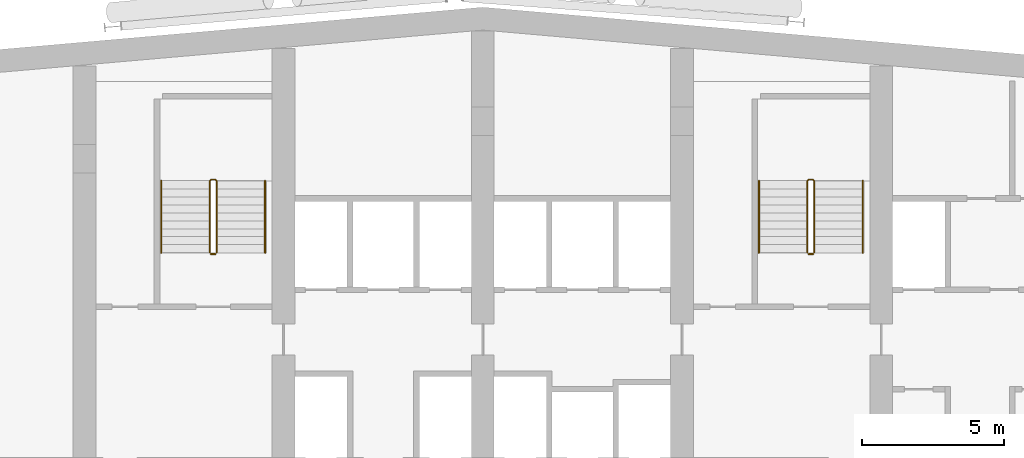
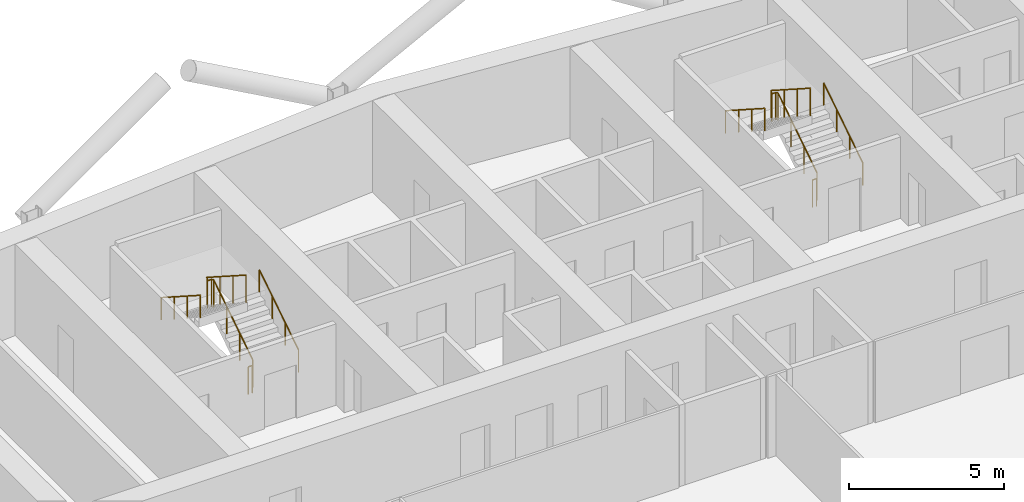
# One storey, part 26 of 26: 8 railings.
"""IFC4 building model written with IfcOpenShell, lengths in metres."""

from ifc_helpers import new_model, si_unit, direction, frame, origin, origin_2d, place, context, subcontext, project, spatial, circle, extrude, material, type_object, element, save


model = new_model("IFC4")

# Units and contexts
model_context = context("Model", 3, precision=1e-05, world=origin(), true_north=direction((0.0, 1.0)))
body_context = subcontext(model_context, "Body", "Model", "MODEL_VIEW")
ifc_project = project(units=[si_unit("LENGTHUNIT", "METRE"), si_unit("AREAUNIT", "SQUARE_METRE"), si_unit("VOLUMEUNIT", "CUBIC_METRE"), si_unit("PLANEANGLEUNIT", "RADIAN"), si_unit("MASSUNIT", "GRAM", prefix="KILO")], contexts=[model_context])

# Site, building, storey
site_placement = place(None, origin())
site = spatial("IfcSite", under=ifc_project, at=site_placement, CompositionType="ELEMENT")
building_placement = place(site_placement, origin())
building = spatial("IfcBuilding", under=site, at=building_placement, Name="Wharfspan Tower", CompositionType="ELEMENT")
storey_placement = place(building_placement, frame((0.0, 0.0, 184.300049)))
storey = spatial("IfcBuildingStorey", under=building, at=storey_placement, Name="L45", CompositionType="ELEMENT", Elevation=184.300049)

# Railings
ifc_material = material(Name="Steel S355J2", Category="steel")
railing_type_1 = type_object("IfcRailingType", Name="Stair guard 1100", PredefinedType="GUARDRAIL", material=ifc_material)
railing_1_placement = place(storey_placement, frame((27.649902, 42.0, 0.179932)))
element("IfcRailing", 1, at=railing_1_placement, inside=storey, type_object=railing_type_1, Name="L45 ST1 stair guard 1", PredefinedType="GUARDRAIL", context=body_context, shape_type="SweptSolid", body=[
    extrude(circle(Radius=0.023926, at=origin_2d()), frame((0.0, 0.0, 1.076172), z_axis=(0.0, 0.841163, 0.540782), x_axis=(-1.0, 0.0, 0.0)), (0.0, 0.0, 1.0), 2.99585),
    extrude(circle(Radius=0.023926, at=origin_2d()), frame((0.0, 2.52002, 2.696289), z_axis=(-0.705376, 0.708834, 0.0), x_axis=(-0.708834, -0.705376, 0.0)), (0.0, 0.0, 1.0), 0.070557),
    extrude(circle(Radius=0.023926, at=origin_2d()), frame((-0.049805, 2.570068, 2.696289), z_axis=(-1.0, 0.0, 0.0), x_axis=(0.0, -1.0, 0.0)), (0.0, 0.0, 1.0), 0.150146),
    extrude(circle(Radius=0.023926, at=origin_2d()), frame((-0.199951, 2.570068, 2.696289), z_axis=(-0.258848, -0.258848, 0.930589), x_axis=(0.707107, -0.707107, 0.0)), (0.0, 0.0, 1.0), 0.193359),
    extrude(circle(Radius=0.023926, at=origin_2d()), frame((-0.25, 2.52002, 2.875977), z_axis=(0.0, -0.8412, 0.540725), x_axis=(1.0, 0.0, 0.0)), (0.0, 0.0, 1.0), 2.99585),
    extrude(circle(Radius=0.020996, at=origin_2d()), origin(), (0.0, 0.0, 1.0), 1.052002),
    extrude(circle(Radius=0.020996, at=origin_2d()), frame((0.0, 0.840088, 0.540039)), (0.0, 0.0, 1.0), 1.052002),
    extrude(circle(Radius=0.020996, at=origin_2d()), frame((0.0, 1.679932, 1.080078)), (0.0, 0.0, 1.0), 1.052002),
    extrude(circle(Radius=0.020996, at=origin_2d()), frame((0.0, 2.52002, 1.620117)), (0.0, 0.0, 1.0), 1.052002),
    extrude(circle(Radius=0.020996, at=origin_2d()), frame((-0.049805, 2.570068, 1.620117)), (0.0, 0.0, 1.0), 1.052002),
    extrude(circle(Radius=0.020996, at=origin_2d()), frame((-0.199951, 2.570068, 1.620117)), (0.0, 0.0, 1.0), 1.052002),
    extrude(circle(Radius=0.020996, at=origin_2d()), frame((-0.25, 2.52002, 1.800049)), (0.0, 0.0, 1.0), 1.052002),
    extrude(circle(Radius=0.020996, at=origin_2d()), frame((-0.25, 1.679932, 2.340088)), (0.0, 0.0, 1.0), 1.052002),
    extrude(circle(Radius=0.020996, at=origin_2d()), frame((-0.25, 0.840088, 2.879883)), (0.0, 0.0, 1.0), 1.052002),
    extrude(circle(Radius=0.020996, at=origin_2d()), frame((-0.25, 0.0, 3.419922)), (0.0, 0.0, 1.0), 1.052002),
])
railing_2_placement = place(storey_placement, frame((27.600098, 41.949951, 0.0)))
element("IfcRailing", 2, at=railing_2_placement, inside=storey, type_object=railing_type_1, Name="L45 ST1 stair guard 2", PredefinedType="GUARDRAIL", context=body_context, shape_type="SweptSolid", body=[
    extrude(circle(Radius=0.023926, at=origin_2d()), frame((0.0, 0.0, 1.076172), z_axis=(-1.0, 0.0, 0.0), x_axis=(0.0, -1.0, 0.0)), (0.0, 0.0, 1.0), 0.150146),
    extrude(circle(Radius=0.020996, at=origin_2d()), origin(), (0.0, 0.0, 1.0), 1.052002),
    extrude(circle(Radius=0.020996, at=origin_2d()), frame((-0.150146, 0.0, 0.0)), (0.0, 0.0, 1.0), 1.052002),
])
railing_3_placement = place(storey_placement, frame((48.649902, 42.0, 0.179932)))
element("IfcRailing", 3, at=railing_3_placement, inside=storey, type_object=railing_type_1, Name="L45 ST2 stair guard 1", PredefinedType="GUARDRAIL", context=body_context, shape_type="SweptSolid", body=[
    extrude(circle(Radius=0.023926, at=origin_2d()), frame((0.0, 0.0, 1.076172), z_axis=(0.0, 0.841163, 0.540782), x_axis=(-1.0, 0.0, 0.0)), (0.0, 0.0, 1.0), 2.99585),
    extrude(circle(Radius=0.023926, at=origin_2d()), frame((0.0, 2.52002, 2.696289), z_axis=(-0.705376, 0.708834, 0.0), x_axis=(-0.708834, -0.705376, 0.0)), (0.0, 0.0, 1.0), 0.070557),
    extrude(circle(Radius=0.023926, at=origin_2d()), frame((-0.049805, 2.570068, 2.696289), z_axis=(-1.0, 0.0, 0.0), x_axis=(0.0, -1.0, 0.0)), (0.0, 0.0, 1.0), 0.150146),
    extrude(circle(Radius=0.023926, at=origin_2d()), frame((-0.199951, 2.570068, 2.696289), z_axis=(-0.258848, -0.258848, 0.930589), x_axis=(0.707107, -0.707107, 0.0)), (0.0, 0.0, 1.0), 0.193359),
    extrude(circle(Radius=0.023926, at=origin_2d()), frame((-0.25, 2.52002, 2.875977), z_axis=(0.0, -0.8412, 0.540725), x_axis=(1.0, 0.0, 0.0)), (0.0, 0.0, 1.0), 2.99585),
    extrude(circle(Radius=0.020996, at=origin_2d()), origin(), (0.0, 0.0, 1.0), 1.052002),
    extrude(circle(Radius=0.020996, at=origin_2d()), frame((0.0, 0.840088, 0.540039)), (0.0, 0.0, 1.0), 1.052002),
    extrude(circle(Radius=0.020996, at=origin_2d()), frame((0.0, 1.679932, 1.080078)), (0.0, 0.0, 1.0), 1.052002),
    extrude(circle(Radius=0.020996, at=origin_2d()), frame((0.0, 2.52002, 1.620117)), (0.0, 0.0, 1.0), 1.052002),
    extrude(circle(Radius=0.020996, at=origin_2d()), frame((-0.049805, 2.570068, 1.620117)), (0.0, 0.0, 1.0), 1.052002),
    extrude(circle(Radius=0.020996, at=origin_2d()), frame((-0.199951, 2.570068, 1.620117)), (0.0, 0.0, 1.0), 1.052002),
    extrude(circle(Radius=0.020996, at=origin_2d()), frame((-0.25, 2.52002, 1.800049)), (0.0, 0.0, 1.0), 1.052002),
    extrude(circle(Radius=0.020996, at=origin_2d()), frame((-0.25, 1.679932, 2.340088)), (0.0, 0.0, 1.0), 1.052002),
    extrude(circle(Radius=0.020996, at=origin_2d()), frame((-0.25, 0.840088, 2.879883)), (0.0, 0.0, 1.0), 1.052002),
    extrude(circle(Radius=0.020996, at=origin_2d()), frame((-0.25, 0.0, 3.419922)), (0.0, 0.0, 1.0), 1.052002),
])
railing_4_placement = place(storey_placement, frame((48.600098, 41.949951, 0.0)))
element("IfcRailing", 4, at=railing_4_placement, inside=storey, type_object=railing_type_1, Name="L45 ST2 stair guard 2", PredefinedType="GUARDRAIL", context=body_context, shape_type="SweptSolid", body=[
    extrude(circle(Radius=0.023926, at=origin_2d()), frame((0.0, 0.0, 1.076172), z_axis=(-1.0, 0.0, 0.0), x_axis=(0.0, -1.0, 0.0)), (0.0, 0.0, 1.0), 0.150146),
    extrude(circle(Radius=0.020996, at=origin_2d()), origin(), (0.0, 0.0, 1.0), 1.052002),
    extrude(circle(Radius=0.020996, at=origin_2d()), frame((-0.150146, 0.0, 0.0)), (0.0, 0.0, 1.0), 1.052002),
])
railing_type_2 = type_object("IfcRailingType", Name="Stair handrail 900", PredefinedType="HANDRAIL", material=ifc_material)
railing_5_placement = place(storey_placement, frame((29.350098, 42.0, 0.179932)))
element("IfcRailing", 5, at=railing_5_placement, inside=storey, type_object=railing_type_2, Name="L45 ST1 stair handrail 1", PredefinedType="HANDRAIL", context=body_context, shape_type="SweptSolid", body=[
    extrude(circle(Radius=0.023926, at=origin_2d()), frame((0.0, 0.0, 0.875977), z_axis=(0.0, 0.841163, 0.540782), x_axis=(-1.0, 0.0, 0.0)), (0.0, 0.0, 1.0), 2.99585),
    extrude(circle(Radius=0.020996, at=origin_2d()), origin(), (0.0, 0.0, 1.0), 0.851807),
    extrude(circle(Radius=0.020996, at=origin_2d()), frame((0.0, 0.840088, 0.540039)), (0.0, 0.0, 1.0), 0.851807),
    extrude(circle(Radius=0.020996, at=origin_2d()), frame((0.0, 1.679932, 1.080078)), (0.0, 0.0, 1.0), 0.851807),
    extrude(circle(Radius=0.020996, at=origin_2d()), frame((0.0, 2.52002, 1.620117)), (0.0, 0.0, 1.0), 0.851807),
])
railing_6_placement = place(storey_placement, frame((25.699951, 44.52002, 1.97998)))
element("IfcRailing", 6, at=railing_6_placement, inside=storey, type_object=railing_type_2, Name="L45 ST1 stair handrail 2", PredefinedType="HANDRAIL", context=body_context, shape_type="SweptSolid", body=[
    extrude(circle(Radius=0.023926, at=origin_2d()), frame((0.0, 0.0, 0.875977), z_axis=(0.0, -0.8412, 0.540725), x_axis=(1.0, 0.0, 0.0)), (0.0, 0.0, 1.0), 2.99585),
    extrude(circle(Radius=0.020996, at=origin_2d()), origin(), (0.0, 0.0, 1.0), 0.851807),
    extrude(circle(Radius=0.020996, at=origin_2d()), frame((0.0, -0.840088, 0.540039)), (0.0, 0.0, 1.0), 0.851807),
    extrude(circle(Radius=0.020996, at=origin_2d()), frame((0.0, -1.679932, 1.079834)), (0.0, 0.0, 1.0), 0.851807),
    extrude(circle(Radius=0.020996, at=origin_2d()), frame((0.0, -2.52002, 1.619873)), (0.0, 0.0, 1.0), 0.851807),
])
railing_7_placement = place(storey_placement, frame((50.350098, 42.0, 0.179932)))
element("IfcRailing", 7, at=railing_7_placement, inside=storey, type_object=railing_type_2, Name="L45 ST2 stair handrail 1", PredefinedType="HANDRAIL", context=body_context, shape_type="SweptSolid", body=[
    extrude(circle(Radius=0.023926, at=origin_2d()), frame((0.0, 0.0, 0.875977), z_axis=(0.0, 0.841163, 0.540782), x_axis=(-1.0, 0.0, 0.0)), (0.0, 0.0, 1.0), 2.99585),
    extrude(circle(Radius=0.020996, at=origin_2d()), origin(), (0.0, 0.0, 1.0), 0.851807),
    extrude(circle(Radius=0.020996, at=origin_2d()), frame((0.0, 0.840088, 0.540039)), (0.0, 0.0, 1.0), 0.851807),
    extrude(circle(Radius=0.020996, at=origin_2d()), frame((0.0, 1.679932, 1.080078)), (0.0, 0.0, 1.0), 0.851807),
    extrude(circle(Radius=0.020996, at=origin_2d()), frame((0.0, 2.52002, 1.620117)), (0.0, 0.0, 1.0), 0.851807),
])
railing_8_placement = place(storey_placement, frame((46.699951, 44.52002, 1.97998)))
element("IfcRailing", 8, at=railing_8_placement, inside=storey, type_object=railing_type_2, Name="L45 ST2 stair handrail 2", PredefinedType="HANDRAIL", context=body_context, shape_type="SweptSolid", body=[
    extrude(circle(Radius=0.023926, at=origin_2d()), frame((0.0, 0.0, 0.875977), z_axis=(0.0, -0.8412, 0.540725), x_axis=(1.0, 0.0, 0.0)), (0.0, 0.0, 1.0), 2.99585),
    extrude(circle(Radius=0.020996, at=origin_2d()), origin(), (0.0, 0.0, 1.0), 0.851807),
    extrude(circle(Radius=0.020996, at=origin_2d()), frame((0.0, -0.840088, 0.540039)), (0.0, 0.0, 1.0), 0.851807),
    extrude(circle(Radius=0.020996, at=origin_2d()), frame((0.0, -1.679932, 1.079834)), (0.0, 0.0, 1.0), 0.851807),
    extrude(circle(Radius=0.020996, at=origin_2d()), frame((0.0, -2.52002, 1.619873)), (0.0, 0.0, 1.0), 0.851807),
])

save(model, "model.ifc")
